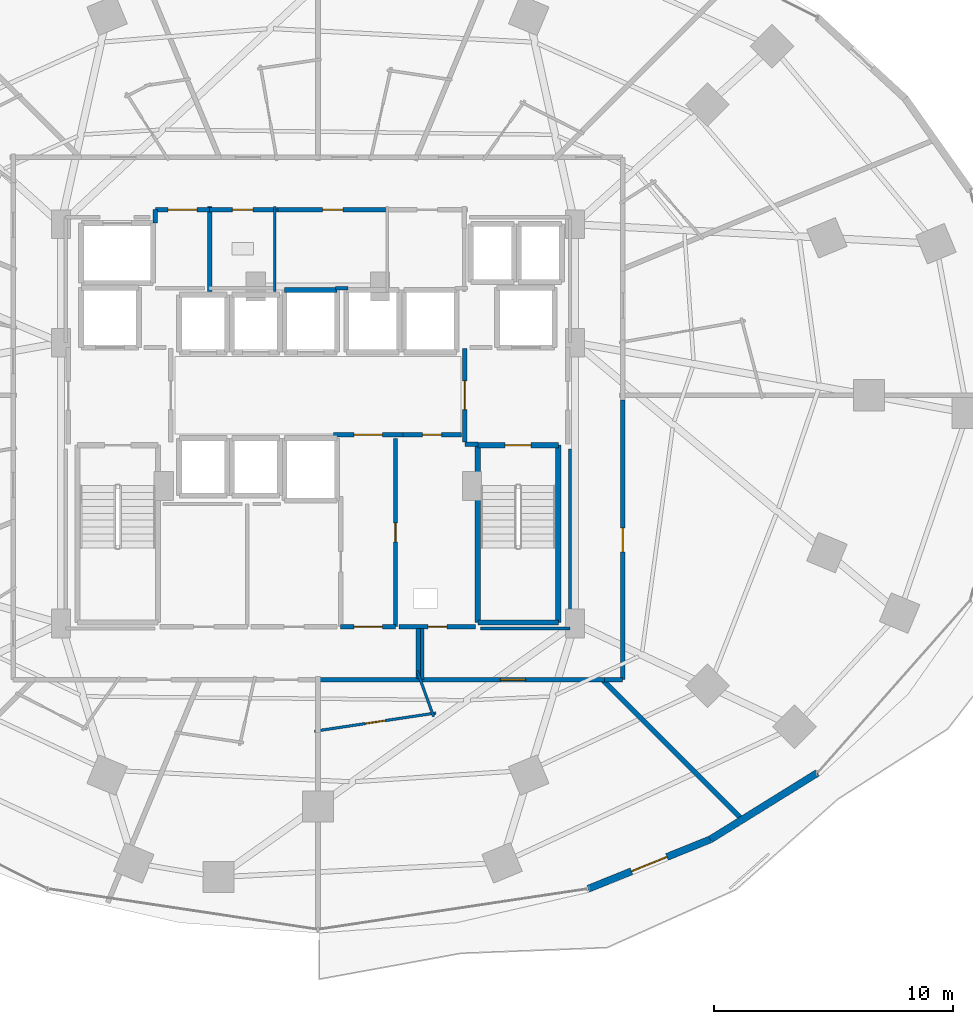
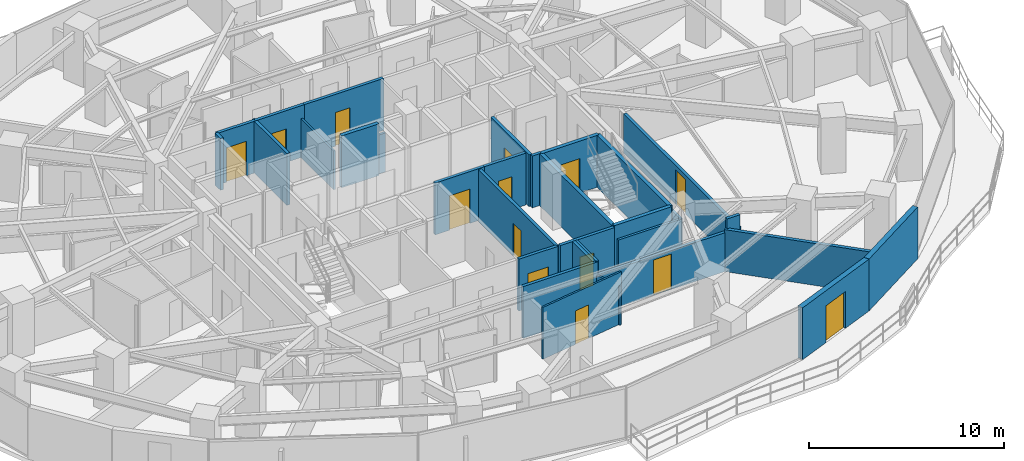
# One storey, part 28 of 34: 32 walls, 14 doors, 14 openings.
"""IFC4 building model written with IfcOpenShell, lengths in metres."""

from ifc_helpers import new_model, si_unit, direction, frame, frame_2d, origin, place, context, subcontext, project, spatial, rectangle, extrude, material, layer, layer_set, type_object, element, fill, save


model = new_model("IFC4")

# Units and contexts
model_context = context("Model", 3, precision=1e-05, world=origin(), true_north=direction((0.0, 1.0)))
body_context = subcontext(model_context, "Body", "Model", "MODEL_VIEW")
ifc_project = project(units=[si_unit("LENGTHUNIT", "METRE"), si_unit("AREAUNIT", "SQUARE_METRE"), si_unit("VOLUMEUNIT", "CUBIC_METRE"), si_unit("PLANEANGLEUNIT", "RADIAN"), si_unit("MASSUNIT", "GRAM", prefix="KILO")], contexts=[model_context])

# Site, building, storey
site_placement = place(None, origin())
site = spatial("IfcSite", under=ifc_project, at=site_placement, CompositionType="ELEMENT")
building_placement = place(site_placement, origin())
building = spatial("IfcBuilding", under=site, at=building_placement, Name="Vorneva Point Tower", CompositionType="ELEMENT")
storey_placement = place(building_placement, frame((0.0, 0.0, 27.5)))
storey = spatial("IfcBuildingStorey", under=building, at=storey_placement, Name="L06", CompositionType="ELEMENT", Elevation=27.5)

# Wall, opening, door
ifc_material_1 = material(Name="Precast concrete B50 (C40/50)", Category="concrete")
ifc_layer_1 = layer(ifc_material_1, 0.300048828125)
ifc_layer_set_1 = layer_set([ifc_layer_1], Name="Precast concrete B50 (C40/50)")
wall_type_1 = type_object("IfcWallType", Name="WL-EXT-300", PredefinedType="STANDARD", material=ifc_layer_set_1)
wall_1_placement = place(storey_placement, frame((49.308349609375, 5.351318359375, 0.0), z_axis=(0.0, 0.0, 1.0), x_axis=(0.927095325176, 0.374825636845, 0.0)))
wall_1 = element("IfcWall", 1, at=wall_1_placement, inside=storey, type_object=wall_type_1, Name="L06 Pale-Metal Facade Spandrel Wall 14.1", PredefinedType="STANDARD", context=body_context, shape_type="SweptSolid", body=[
    extrude(rectangle(XDim=5.51025390625, YDim=0.300048828125, at=frame_2d((2.755126953125, 0.0))), origin(), (0.0, 0.0, 1.0), 3.239990234375),
])
opening_1_placement = place(wall_1_placement, frame((1.955322265625, 0.0, 0.0)))
opening_1 = element("IfcOpeningElement", 2, at=opening_1_placement, cuts=wall_1, Name="Opening BD-01", PredefinedType="OPENING", context=body_context, shape_type="SweptSolid", body=[
    extrude(rectangle(XDim=1.60009765625, YDim=2.300048828125, at=frame_2d((0.800048828125, 1.14990234375))), frame((0.0, 0.1650390625, 0.0), z_axis=(0.0, -1.0, 0.0), x_axis=(1.0, 0.0, 0.0)), (0.0, 0.0, 1.0), 0.329833984375),
])
ifc_material_2 = material(Name="Pale anodised aluminium", Category="aluminium")
door_type_1 = type_object("IfcDoorType", Name="DR-BAL-1600", OperationType="SLIDING_TO_LEFT", PredefinedType="DOOR", material=ifc_material_2)
door_1_placement = place(opening_1_placement, origin())
door_1 = element("IfcDoor", 3, at=door_1_placement, inside=storey, type_object=door_type_1, Name="L06 Balcony Terrace Access Door 14", OperationType="SLIDING_TO_LEFT", OverallHeight=2.300048828125, OverallWidth=1.60009765625, PredefinedType="DOOR", context=body_context, shape_type="SweptSolid", body=[
    extrude(rectangle(XDim=1.60009765625, YDim=2.300048828125, at=frame_2d((0.800048828125, 1.14990234375))), frame((0.0, 0.02490234375, 0.0), z_axis=(0.0, -1.0, 0.0), x_axis=(1.0, 0.0, 0.0)), (0.0, 0.0, 1.0), 0.050048828125),
])
fill(opening_1, door_1)

# Walls
wall_2_placement = place(storey_placement, frame((54.4169921875, 7.416748046875, 0.0), z_axis=(0.0, 0.0, 1.0), x_axis=(0.849633724826, 0.527373239404, 0.0)))
element("IfcWall", 4, at=wall_2_placement, inside=storey, type_object=wall_type_1, Name="L06 Pale-Metal Facade Spandrel Wall 14.2", PredefinedType="STANDARD", context=body_context, shape_type="SweptSolid", body=[
    extrude(rectangle(XDim=5.2705078125, YDim=0.300048828125, at=frame_2d((2.63525390625, 0.0))), origin(), (0.0, 0.0, 1.0), 3.239990234375),
])
ifc_material_3 = material(Name="Fire-rated acoustic gypsum stud partition", Category="gypsum")
ifc_layer_2 = layer(ifc_material_3, 0.110107421875)
ifc_layer_set_2 = layer_set([ifc_layer_2], Name="Fire-rated acoustic gypsum stud partition")
wall_type_2 = type_object("IfcWallType", Name="WL-PART-110", PredefinedType="PARTITIONING", material=ifc_layer_set_2)
wall_3_placement = place(storey_placement, frame((36.199951171875, 30.340087890625, 0.0), z_axis=(0.0, 0.0, 1.0), x_axis=(0.0, 1.0, 0.0)))
element("IfcWall", 5, at=wall_3_placement, inside=storey, type_object=wall_type_2, Name="L06 Interior Partition 015", PredefinedType="PARTITIONING", context=body_context, shape_type="SweptSolid", body=[
    extrude(rectangle(XDim=3.559814453125, YDim=0.110107421875, at=frame_2d((1.77978515625, 0.0))), origin(), (0.0, 0.0, 1.0), 2.431884765625),
])

# Wall, opening, door
wall_4_placement = place(storey_placement, frame((42.932373046875, 12.705810546875, 0.0), z_axis=(0.0, 0.0, 1.0), x_axis=(-0.988876905643, -0.148736227888, 0.0)))
wall_4 = element("IfcWall", 6, at=wall_4_placement, inside=storey, type_object=wall_type_2, Name="L06 Interior Partition 104", PredefinedType="PARTITIONING", context=body_context, shape_type="SweptSolid", body=[
    extrude(rectangle(XDim=5.1279296875, YDim=0.110107421875, at=frame_2d((2.56396484375, 0.0))), origin(), (0.0, 0.0, 1.0), 3.239990234375),
])
opening_2_placement = place(wall_4_placement, frame((2.138916015625, 0.0, 0.0)))
opening_2 = element("IfcOpeningElement", 7, at=opening_2_placement, cuts=wall_4, Name="Opening ID-02", PredefinedType="OPENING", context=body_context, shape_type="SweptSolid", body=[
    extrude(rectangle(XDim=0.85009765625, YDim=2.10009765625, at=frame_2d((0.425048828125, 1.050048828125))), frame((0.0, 0.06982421875, 0.0), z_axis=(0.0, -1.0, 0.0), x_axis=(1.0, 0.0, 0.0)), (0.0, 0.0, 1.0), 0.139892578125),
])
ifc_material_4 = material(Name="Engineered oak fire-rated door leaf", Category="wood")
door_type_2 = type_object("IfcDoorType", Name="DR-BATH-850", OperationType="NOTDEFINED", PredefinedType="DOOR", material=ifc_material_4)
door_2_placement = place(opening_2_placement, origin())
door_2 = element("IfcDoor", 8, at=door_2_placement, inside=storey, type_object=door_type_2, Name="L06 Door Junior Suite L06-13 / En-Suite Bathroom L06-13", OperationType="SINGLE_SWING_RIGHT", OverallHeight=2.10009765625, OverallWidth=0.85009765625, PredefinedType="DOOR", context=body_context, shape_type="SweptSolid", body=[
    extrude(rectangle(XDim=0.85009765625, YDim=2.10009765625, at=frame_2d((0.425048828125, 1.050048828125))), frame((0.0, 0.02490234375, 0.0), z_axis=(0.0, -1.0, 0.0), x_axis=(1.0, 0.0, 0.0)), (0.0, 0.0, 1.0), 0.050048828125),
])
fill(opening_2, door_2)

# Walls
wall_5_placement = place(storey_placement, frame((42.152587890625, 14.4658203125, 0.0), z_axis=(0.0, 0.0, 1.0), x_axis=(0.338800270412, -0.940858319179, 0.0)))
element("IfcWall", 9, at=wall_5_placement, inside=storey, type_object=wall_type_2, Name="L06 Interior Partition 105", PredefinedType="PARTITIONING", context=body_context, shape_type="SweptSolid", body=[
    extrude(rectangle(XDim=2.03271484375, YDim=0.110107421875, at=frame_2d((1.016357421875, 0.0))), origin(), (0.0, 0.0, 1.0), 2.431884765625),
])
ifc_layer_3 = layer(ifc_material_3, 0.139892578125)
ifc_layer_set_3 = layer_set([ifc_layer_3], Name="Fire-rated acoustic gypsum stud partition")
wall_type_3 = type_object("IfcWallType", Name="WL-PART-140", PredefinedType="PARTITIONING", material=ifc_layer_set_3)
wall_6_placement = place(storey_placement, frame((38.735107421875, 30.47998046875, 0.0), z_axis=(0.0, 0.0, 1.0), x_axis=(1.0, 0.0, 0.0)))
element("IfcWall", 10, at=wall_6_placement, inside=storey, type_object=wall_type_3, Name="L06 Interior Closure Partition 111", PredefinedType="PARTITIONING", context=body_context, shape_type="SweptSolid", body=[
    extrude(rectangle(XDim=0.52978515625, YDim=0.139892578125, at=frame_2d((0.264892578125, 0.0))), origin(), (0.0, 0.0, 1.0), 2.431884765625),
])
wall_7_placement = place(storey_placement, frame((48.550048828125, 23.75390625, 0.0), z_axis=(0.0, 0.0, 1.0), x_axis=(0.0, -1.0, 0.0)))
element("IfcWall", 11, at=wall_7_placement, inside=storey, type_object=wall_type_3, Name="L06 Interior Closure Partition 118", PredefinedType="PARTITIONING", context=body_context, shape_type="SweptSolid", body=[
    extrude(rectangle(XDim=7.513916015625, YDim=0.139892578125, at=frame_2d((3.7568359375, 0.0))), origin(), (0.0, 0.0, 1.0), 2.431884765625),
])
wall_8_placement = place(storey_placement, frame((48.550048828125, 16.239990234375, 0.0), z_axis=(0.0, 0.0, 1.0), x_axis=(-1.0, 0.0, 0.0)))
element("IfcWall", 12, at=wall_8_placement, inside=storey, type_object=wall_type_3, Name="L06 Interior Closure Partition 119", PredefinedType="PARTITIONING", context=body_context, shape_type="SweptSolid", body=[
    extrude(rectangle(XDim=3.7451171875, YDim=0.139892578125, at=frame_2d((1.87255859375, 0.0))), origin(), (0.0, 0.0, 1.0), 2.431884765625),
])

# Wall, opening, door
ifc_material_5 = material(Name="Autoclaved aerated concrete blockwork", Category="masonry")
ifc_layer_4 = layer(ifc_material_5, 0.179931640625)
ifc_layer_set_4 = layer_set([ifc_layer_4], Name="Autoclaved aerated concrete blockwork")
wall_type_4 = type_object("IfcWallType", Name="WL-PART-180", PredefinedType="PARTITIONING", material=ifc_layer_set_4)
wall_9_placement = place(storey_placement, frame((44.14990234375, 27.955078125, 0.0), z_axis=(0.0, 0.0, 1.0), x_axis=(0.0, -1.0, 0.0)))
wall_9 = element("IfcWall", 13, at=wall_9_placement, inside=storey, type_object=wall_type_4, Name="L06 Interior Partition 003", PredefinedType="PARTITIONING", context=body_context, shape_type="SweptSolid", body=[
    extrude(rectangle(XDim=3.91015625, YDim=0.179931640625, at=frame_2d((1.955078125, 0.0))), origin(), (0.0, 0.0, 1.0), 3.239990234375),
])
opening_3_placement = place(wall_9_placement, frame((1.35498046875, 0.0, 0.0)))
opening_3 = element("IfcOpeningElement", 14, at=opening_3_placement, cuts=wall_9, Name="Opening FD-02", PredefinedType="OPENING", context=body_context, shape_type="SweptSolid", body=[
    extrude(rectangle(XDim=1.199951171875, YDim=2.14990234375, at=frame_2d((0.60009765625, 1.074951171875))), frame((0.0, 0.10498046875, 0.0), z_axis=(0.0, -1.0, 0.0), x_axis=(1.0, 0.0, 0.0)), (0.0, 0.0, 1.0), 0.209716796875),
])
ifc_material_6 = material(Name="Fire-rated powder-coated steel", Category="steel")
door_type_3 = type_object("IfcDoorType", Name="DR-FFL-1200", OperationType="NOTDEFINED", PredefinedType="DOOR", material=ifc_material_6)
door_3_placement = place(opening_3_placement, origin())
door_3 = element("IfcDoor", 15, at=door_3_placement, inside=storey, type_object=door_type_3, Name="L06 Door East Firefighting Lobby / Central Lift Lobby", OperationType="SINGLE_SWING_RIGHT", OverallHeight=2.14990234375, OverallWidth=1.199951171875, PredefinedType="DOOR", context=body_context, shape_type="SweptSolid", body=[
    extrude(rectangle(XDim=1.199951171875, YDim=2.14990234375, at=frame_2d((0.60009765625, 1.074951171875))), frame((0.0, 0.02490234375, 0.0), z_axis=(0.0, -1.0, 0.0), x_axis=(1.0, 0.0, 0.0)), (0.0, 0.0, 1.0), 0.050048828125),
])
fill(opening_3, door_3)

# Walls
wall_10_placement = place(storey_placement, frame((44.14990234375, 23.949951171875, 0.0), z_axis=(0.0, 0.0, 1.0), x_axis=(1.0, 0.0, 0.0)))
element("IfcWall", 16, at=wall_10_placement, inside=storey, type_object=wall_type_4, Name="L06 Interior Partition 004", PredefinedType="PARTITIONING", context=body_context, shape_type="SweptSolid", body=[
    extrude(rectangle(XDim=0.5400390625, YDim=0.179931640625, at=frame_2d((0.27001953125, 0.0))), origin(), (0.0, 0.0, 1.0), 3.239990234375),
])
wall_11_placement = place(storey_placement, frame((33.469970703125, 30.340087890625, 0.0), z_axis=(0.0, 0.0, 1.0), x_axis=(0.0, 1.0, 0.0)))
element("IfcWall", 17, at=wall_11_placement, inside=storey, type_object=wall_type_4, Name="L06 Interior Partition 006", PredefinedType="PARTITIONING", context=body_context, shape_type="SweptSolid", body=[
    extrude(rectangle(XDim=3.559814453125, YDim=0.179931640625, at=frame_2d((1.77978515625, 0.0))), origin(), (0.0, 0.0, 1.0), 3.239990234375),
])

# Wall, opening, door
wall_12_placement = place(storey_placement, frame((33.469970703125, 33.760009765625, 0.0), z_axis=(0.0, 0.0, 1.0), x_axis=(-1.0, 0.0, 0.0)))
wall_12 = element("IfcWall", 18, at=wall_12_placement, inside=storey, type_object=wall_type_4, Name="L06 Interior Partition 007", PredefinedType="PARTITIONING", context=body_context, shape_type="SweptSolid", body=[
    extrude(rectangle(XDim=2.27001953125, YDim=0.179931640625, at=frame_2d((1.135009765625, 0.0))), origin(), (0.0, 0.0, 1.0), 3.239990234375),
])
opening_4_placement = place(wall_12_placement, frame((0.534912109375, 0.0, 0.0)))
opening_4 = element("IfcOpeningElement", 19, at=opening_4_placement, cuts=wall_12, Name="Opening FD-02", PredefinedType="OPENING", context=body_context, shape_type="SweptSolid", body=[
    extrude(rectangle(XDim=1.199951171875, YDim=2.14990234375, at=frame_2d((0.60009765625, 1.074951171875))), frame((0.0, 0.10498046875, 0.0), z_axis=(0.0, -1.0, 0.0), x_axis=(1.0, 0.0, 0.0)), (0.0, 0.0, 1.0), 0.209716796875),
])
door_4_placement = place(opening_4_placement, origin())
door_4 = element("IfcDoor", 20, at=door_4_placement, inside=storey, type_object=door_type_3, Name="L06 Door Service Lift Lobby / L06 Circulation Corridor", OperationType="SINGLE_SWING_RIGHT", OverallHeight=2.14990234375, OverallWidth=1.199951171875, PredefinedType="DOOR", context=body_context, shape_type="SweptSolid", body=[
    extrude(rectangle(XDim=1.199951171875, YDim=2.14990234375, at=frame_2d((0.60009765625, 1.074951171875))), frame((0.0, 0.02490234375, 0.0), z_axis=(0.0, -1.0, 0.0), x_axis=(1.0, 0.0, 0.0)), (0.0, 0.0, 1.0), 0.050048828125),
])
fill(opening_4, door_4)

# Wall
wall_13_placement = place(storey_placement, frame((31.199951171875, 33.760009765625, 0.0), z_axis=(0.0, 0.0, 1.0), x_axis=(0.0, -1.0, 0.0)))
element("IfcWall", 21, at=wall_13_placement, inside=storey, type_object=wall_type_4, Name="L06 Interior Partition 008", PredefinedType="PARTITIONING", context=body_context, shape_type="SweptSolid", body=[
    extrude(rectangle(XDim=0.56005859375, YDim=0.179931640625, at=frame_2d((0.280029296875, 0.0))), origin(), (0.0, 0.0, 1.0), 3.239990234375),
])

# Wall, opening, door
wall_14_placement = place(storey_placement, frame((38.64501953125, 24.35009765625, 0.0), z_axis=(0.0, 0.0, 1.0), x_axis=(1.0, 0.0, 0.0)))
wall_14 = element("IfcWall", 22, at=wall_14_placement, inside=storey, type_object=wall_type_4, Name="L06 Interior Partition 009", PredefinedType="PARTITIONING", context=body_context, shape_type="SweptSolid", body=[
    extrude(rectangle(XDim=2.909912109375, YDim=0.179931640625, at=frame_2d((1.455078125, 0.0))), origin(), (0.0, 0.0, 1.0), 3.239990234375),
])
opening_5_placement = place(wall_14_placement, frame((0.85498046875, 0.0, 0.0)))
opening_5 = element("IfcOpeningElement", 23, at=opening_5_placement, cuts=wall_14, Name="Opening FD-02", PredefinedType="OPENING", context=body_context, shape_type="SweptSolid", body=[
    extrude(rectangle(XDim=1.199951171875, YDim=2.14990234375, at=frame_2d((0.60009765625, 1.074951171875))), frame((0.0, 0.10498046875, 0.0), z_axis=(0.0, -1.0, 0.0), x_axis=(1.0, 0.0, 0.0)), (0.0, 0.0, 1.0), 0.209716796875),
])
door_5_placement = place(opening_5_placement, origin())
door_5 = element("IfcDoor", 24, at=door_5_placement, inside=storey, type_object=door_type_3, Name="L06 Door Central Lift Lobby / Core Service Lobby", OperationType="SINGLE_SWING_LEFT", OverallHeight=2.14990234375, OverallWidth=1.199951171875, PredefinedType="DOOR", context=body_context, shape_type="SweptSolid", body=[
    extrude(rectangle(XDim=1.199951171875, YDim=2.14990234375, at=frame_2d((0.60009765625, 1.074951171875))), frame((0.0, 0.02490234375, 0.0), z_axis=(0.0, -1.0, 0.0), x_axis=(1.0, 0.0, 0.0)), (0.0, 0.0, 1.0), 0.050048828125),
])
fill(opening_5, door_5)

wall_15_placement = place(storey_placement, frame((41.554931640625, 24.35009765625, 0.0), z_axis=(0.0, 0.0, 1.0), x_axis=(1.0, 0.0, 0.0)))
wall_15 = element("IfcWall", 25, at=wall_15_placement, inside=storey, type_object=wall_type_4, Name="L06 Interior Partition 010", PredefinedType="PARTITIONING", context=body_context, shape_type="SweptSolid", body=[
    extrude(rectangle(XDim=2.445068359375, YDim=0.179931640625, at=frame_2d((1.22265625, 0.0))), origin(), (0.0, 0.0, 1.0), 3.239990234375),
])
opening_6_placement = place(wall_15_placement, frame((0.822509765625, 0.0, 0.0)))
opening_6 = element("IfcOpeningElement", 26, at=opening_6_placement, cuts=wall_15, Name="Opening RD-01", PredefinedType="OPENING", context=body_context, shape_type="SweptSolid", body=[
    extrude(rectangle(XDim=0.800048828125, YDim=2.050048828125, at=frame_2d((0.39990234375, 1.02490234375))), frame((0.0, 0.10498046875, 0.0), z_axis=(0.0, -1.0, 0.0), x_axis=(1.0, 0.0, 0.0)), (0.0, 0.0, 1.0), 0.209716796875),
])
door_type_4 = type_object("IfcDoorType", Name="DR-RSR-800", OperationType="SINGLE_SWING_LEFT", PredefinedType="DOOR", material=ifc_material_6)
door_6_placement = place(opening_6_placement, origin())
door_6 = element("IfcDoor", 27, at=door_6_placement, inside=storey, type_object=door_type_4, Name="L06 Door Central Lift Lobby / Electrical Riser", OperationType="SINGLE_SWING_RIGHT", OverallHeight=2.050048828125, OverallWidth=0.800048828125, PredefinedType="DOOR", context=body_context, shape_type="SweptSolid", body=[
    extrude(rectangle(XDim=0.800048828125, YDim=2.050048828125, at=frame_2d((0.39990234375, 1.02490234375))), frame((0.0, 0.02490234375, 0.0), z_axis=(0.0, -1.0, 0.0), x_axis=(1.0, 0.0, 0.0)), (0.0, 0.0, 1.0), 0.050048828125),
])
fill(opening_6, door_6)

wall_16_placement = place(storey_placement, frame((41.25, 16.320068359375, 0.0), z_axis=(0.0, 0.0, 1.0), x_axis=(0.0, 1.0, 0.0)))
wall_16 = element("IfcWall", 28, at=wall_16_placement, inside=storey, type_object=wall_type_4, Name="L06 Interior Partition 011", PredefinedType="PARTITIONING", context=body_context, shape_type="SweptSolid", body=[
    extrude(rectangle(XDim=7.8798828125, YDim=0.179931640625, at=frame_2d((3.93994140625, 0.0))), origin(), (0.0, 0.0, 1.0), 3.239990234375),
])
opening_7_placement = place(wall_16_placement, frame((3.5400390625, 0.0, 0.0)))
opening_7 = element("IfcOpeningElement", 29, at=opening_7_placement, cuts=wall_16, Name="Opening RD-01", PredefinedType="OPENING", context=body_context, shape_type="SweptSolid", body=[
    extrude(rectangle(XDim=0.800048828125, YDim=2.050048828125, at=frame_2d((0.39990234375, 1.02490234375))), frame((0.0, 0.10498046875, 0.0), z_axis=(0.0, -1.0, 0.0), x_axis=(1.0, 0.0, 0.0)), (0.0, 0.0, 1.0), 0.209716796875),
])
door_7_placement = place(opening_7_placement, origin())
door_7 = element("IfcDoor", 30, at=door_7_placement, inside=storey, type_object=door_type_4, Name="L06 Door Core Service Lobby / Electrical Riser", OperationType="SINGLE_SWING_LEFT", OverallHeight=2.050048828125, OverallWidth=0.800048828125, PredefinedType="DOOR", context=body_context, shape_type="SweptSolid", body=[
    extrude(rectangle(XDim=0.800048828125, YDim=2.050048828125, at=frame_2d((0.39990234375, 1.02490234375))), frame((0.0, 0.02490234375, 0.0), z_axis=(0.0, -1.0, 0.0), x_axis=(1.0, 0.0, 0.0)), (0.0, 0.0, 1.0), 0.050048828125),
])
fill(opening_7, door_7)

wall_17_placement = place(storey_placement, frame((38.949951171875, 16.320068359375, 0.0), z_axis=(0.0, 0.0, 1.0), x_axis=(1.0, 0.0, 0.0)))
wall_17 = element("IfcWall", 31, at=wall_17_placement, inside=storey, type_object=wall_type_4, Name="L06 Interior Partition 013", PredefinedType="PARTITIONING", context=body_context, shape_type="SweptSolid", body=[
    extrude(rectangle(XDim=2.300048828125, YDim=0.179931640625, at=frame_2d((1.14990234375, 0.0))), origin(), (0.0, 0.0, 1.0), 3.239990234375),
])
opening_8_placement = place(wall_17_placement, frame((0.550048828125, 0.0, 0.0)))
opening_8 = element("IfcOpeningElement", 32, at=opening_8_placement, cuts=wall_17, Name="Opening FD-02", PredefinedType="OPENING", context=body_context, shape_type="SweptSolid", body=[
    extrude(rectangle(XDim=1.199951171875, YDim=2.14990234375, at=frame_2d((0.60009765625, 1.074951171875))), frame((0.0, 0.10498046875, 0.0), z_axis=(0.0, -1.0, 0.0), x_axis=(1.0, 0.0, 0.0)), (0.0, 0.0, 1.0), 0.209716796875),
])
door_8_placement = place(opening_8_placement, origin())
door_8 = element("IfcDoor", 33, at=door_8_placement, inside=storey, type_object=door_type_3, Name="L06 Door Core Service Lobby / L06 Circulation Corridor", OperationType="SINGLE_SWING_LEFT", OverallHeight=2.14990234375, OverallWidth=1.199951171875, PredefinedType="DOOR", context=body_context, shape_type="SweptSolid", body=[
    extrude(rectangle(XDim=1.199951171875, YDim=2.14990234375, at=frame_2d((0.60009765625, 1.074951171875))), frame((0.0, 0.02490234375, 0.0), z_axis=(0.0, -1.0, 0.0), x_axis=(1.0, 0.0, 0.0)), (0.0, 0.0, 1.0), 0.050048828125),
])
fill(opening_8, door_8)

wall_18_placement = place(storey_placement, frame((41.39990234375, 16.320068359375, 0.0), z_axis=(0.0, 0.0, 1.0), x_axis=(1.0, 0.0, 0.0)))
wall_18 = element("IfcWall", 34, at=wall_18_placement, inside=storey, type_object=wall_type_4, Name="L06 Interior Partition 014", PredefinedType="PARTITIONING", context=body_context, shape_type="SweptSolid", body=[
    extrude(rectangle(XDim=3.2001953125, YDim=0.179931640625, at=frame_2d((1.60009765625, 0.0))), origin(), (0.0, 0.0, 1.0), 3.239990234375),
])
opening_9_placement = place(wall_18_placement, frame((1.199951171875, 0.0, 0.0)))
opening_9 = element("IfcOpeningElement", 35, at=opening_9_placement, cuts=wall_18, Name="Opening RD-01", PredefinedType="OPENING", context=body_context, shape_type="SweptSolid", body=[
    extrude(rectangle(XDim=0.800048828125, YDim=2.050048828125, at=frame_2d((0.39990234375, 1.02490234375))), frame((0.0, 0.10498046875, 0.0), z_axis=(0.0, -1.0, 0.0), x_axis=(1.0, 0.0, 0.0)), (0.0, 0.0, 1.0), 0.209716796875),
])
door_9_placement = place(opening_9_placement, origin())
door_9 = element("IfcDoor", 36, at=door_9_placement, inside=storey, type_object=door_type_4, Name="L06 Door Electrical Riser / L06 Circulation Corridor", OperationType="SINGLE_SWING_RIGHT", OverallHeight=2.050048828125, OverallWidth=0.800048828125, PredefinedType="DOOR", context=body_context, shape_type="SweptSolid", body=[
    extrude(rectangle(XDim=0.800048828125, YDim=2.050048828125, at=frame_2d((0.39990234375, 1.02490234375))), frame((0.0, 0.02490234375, 0.0), z_axis=(0.0, -1.0, 0.0), x_axis=(1.0, 0.0, 0.0)), (0.0, 0.0, 1.0), 0.050048828125),
])
fill(opening_9, door_9)

wall_19_placement = place(storey_placement, frame((36.340087890625, 33.760009765625, 0.0), z_axis=(0.0, 0.0, 1.0), x_axis=(-1.0, 0.0, 0.0)))
wall_19 = element("IfcWall", 37, at=wall_19_placement, inside=storey, type_object=wall_type_4, Name="L06 Interior Partition 016", PredefinedType="PARTITIONING", context=body_context, shape_type="SweptSolid", body=[
    extrude(rectangle(XDim=2.97998046875, YDim=0.179931640625, at=frame_2d((1.489990234375, 0.0))), origin(), (0.0, 0.0, 1.0), 3.239990234375),
])
opening_10_placement = place(wall_19_placement, frame((1.06494140625, 0.0, 0.0)))
opening_10 = element("IfcOpeningElement", 38, at=opening_10_placement, cuts=wall_19, Name="Opening ID-02", PredefinedType="OPENING", context=body_context, shape_type="SweptSolid", body=[
    extrude(rectangle(XDim=0.85009765625, YDim=2.10009765625, at=frame_2d((0.425048828125, 1.050048828125))), frame((0.0, 0.10498046875, 0.0), z_axis=(0.0, -1.0, 0.0), x_axis=(1.0, 0.0, 0.0)), (0.0, 0.0, 1.0), 0.209716796875),
])
door_10_placement = place(opening_10_placement, origin())
door_10 = element("IfcDoor", 39, at=door_10_placement, inside=storey, type_object=door_type_2, Name="L06 Door Public Male WC / L06 Circulation Corridor", OperationType="SINGLE_SWING_LEFT", OverallHeight=2.10009765625, OverallWidth=0.85009765625, PredefinedType="DOOR", context=body_context, shape_type="SweptSolid", body=[
    extrude(rectangle(XDim=0.85009765625, YDim=2.10009765625, at=frame_2d((0.425048828125, 1.050048828125))), frame((0.0, 0.02490234375, 0.0), z_axis=(0.0, -1.0, 0.0), x_axis=(1.0, 0.0, 0.0)), (0.0, 0.0, 1.0), 0.050048828125),
])
fill(opening_10, door_10)

wall_20_placement = place(storey_placement, frame((41.0400390625, 33.760009765625, 0.0), z_axis=(0.0, 0.0, 1.0), x_axis=(-1.0, 0.0, 0.0)))
wall_20 = element("IfcWall", 40, at=wall_20_placement, inside=storey, type_object=wall_type_4, Name="L06 Interior Partition 018", PredefinedType="PARTITIONING", context=body_context, shape_type="SweptSolid", body=[
    extrude(rectangle(XDim=4.840087890625, YDim=0.179931640625, at=frame_2d((2.419921875, 0.0))), origin(), (0.0, 0.0, 1.0), 3.239990234375),
])
opening_11_placement = place(wall_20_placement, frame((1.9951171875, 0.0, 0.0)))
opening_11 = element("IfcOpeningElement", 41, at=opening_11_placement, cuts=wall_20, Name="Opening ID-02", PredefinedType="OPENING", context=body_context, shape_type="SweptSolid", body=[
    extrude(rectangle(XDim=0.85009765625, YDim=2.10009765625, at=frame_2d((0.425048828125, 1.050048828125))), frame((0.0, 0.10498046875, 0.0), z_axis=(0.0, -1.0, 0.0), x_axis=(1.0, 0.0, 0.0)), (0.0, 0.0, 1.0), 0.209716796875),
])
door_11_placement = place(opening_11_placement, origin())
door_11 = element("IfcDoor", 42, at=door_11_placement, inside=storey, type_object=door_type_2, Name="L06 Door Public Female WC / L06 Circulation Corridor", OperationType="SINGLE_SWING_RIGHT", OverallHeight=2.10009765625, OverallWidth=0.85009765625, PredefinedType="DOOR", context=body_context, shape_type="SweptSolid", body=[
    extrude(rectangle(XDim=0.85009765625, YDim=2.10009765625, at=frame_2d((0.425048828125, 1.050048828125))), frame((0.0, 0.02490234375, 0.0), z_axis=(0.0, -1.0, 0.0), x_axis=(1.0, 0.0, 0.0)), (0.0, 0.0, 1.0), 0.050048828125),
])
fill(opening_11, door_11)

# Wall
wall_21_placement = place(storey_placement, frame((42.340087890625, 16.239990234375, 0.0), z_axis=(0.0, 0.0, 1.0), x_axis=(0.0, -1.0, 0.0)))
element("IfcWall", 43, at=wall_21_placement, inside=storey, type_object=wall_type_4, Name="L06 Interior Partition 051", PredefinedType="PARTITIONING", context=body_context, shape_type="SweptSolid", body=[
    extrude(rectangle(XDim=2.139892578125, YDim=0.179931640625, at=frame_2d((1.06982421875, 0.0))), origin(), (0.0, 0.0, 1.0), 3.239990234375),
])

# Wall, opening, door
wall_22_placement = place(storey_placement, frame((42.340087890625, 14.10009765625, 0.0), z_axis=(0.0, 0.0, 1.0), x_axis=(1.0, 0.0, 0.0)))
wall_22 = element("IfcWall", 44, at=wall_22_placement, inside=storey, type_object=wall_type_4, Name="L06 Interior Partition 052", PredefinedType="PARTITIONING", context=body_context, shape_type="SweptSolid", body=[
    extrude(rectangle(XDim=7.64501953125, YDim=0.179931640625, at=frame_2d((3.822509765625, 0.0))), origin(), (0.0, 0.0, 1.0), 2.431884765625),
])
opening_12_placement = place(wall_22_placement, frame((3.297607421875, 0.0, 0.0)))
opening_12 = element("IfcOpeningElement", 45, at=opening_12_placement, cuts=wall_22, Name="Opening UD-02", PredefinedType="OPENING", context=body_context, shape_type="SweptSolid", body=[
    extrude(rectangle(XDim=1.050048828125, YDim=2.199951171875, at=frame_2d((0.52490234375, 1.10009765625))), frame((0.0, 0.10498046875, 0.0), z_axis=(0.0, -1.0, 0.0), x_axis=(1.0, 0.0, 0.0)), (0.0, 0.0, 1.0), 0.209716796875),
])
door_type_5 = type_object("IfcDoorType", Name="DR-SUITE-1050", OperationType="NOTDEFINED", PredefinedType="DOOR", material=ifc_material_4)
door_12_placement = place(opening_12_placement, origin())
door_12 = element("IfcDoor", 46, at=door_12_placement, inside=storey, type_object=door_type_5, Name="L06 Door L06 Circulation Corridor / Junior Suite L06-13", OperationType="SINGLE_SWING_RIGHT", OverallHeight=2.199951171875, OverallWidth=1.050048828125, PredefinedType="DOOR", context=body_context, shape_type="SweptSolid", body=[
    extrude(rectangle(XDim=1.050048828125, YDim=2.199951171875, at=frame_2d((0.52490234375, 1.10009765625))), frame((0.0, 0.02490234375, 0.0), z_axis=(0.0, -1.0, 0.0), x_axis=(1.0, 0.0, 0.0)), (0.0, 0.0, 1.0), 0.050048828125),
])
fill(opening_12, door_12)

# Walls
wall_23_placement = place(storey_placement, frame((42.199951171875, 14.156982421875, 0.0), z_axis=(0.0, 0.0, 1.0), x_axis=(0.0, 1.0, 0.0)))
element("IfcWall", 47, at=wall_23_placement, inside=storey, type_object=wall_type_4, Name="L06 Interior Partition 053", PredefinedType="PARTITIONING", context=body_context, shape_type="SweptSolid", body=[
    extrude(rectangle(XDim=2.0830078125, YDim=0.179931640625, at=frame_2d((1.04150390625, 0.0))), origin(), (0.0, 0.0, 1.0), 3.239990234375),
])
wall_24_placement = place(storey_placement, frame((37.919921875, 14.10009765625, 0.0), z_axis=(0.0, 0.0, 1.0), x_axis=(1.0, 0.0, 0.0)))
element("IfcWall", 48, at=wall_24_placement, inside=storey, type_object=wall_type_4, Name="L06 Interior Partition 054", PredefinedType="PARTITIONING", context=body_context, shape_type="SweptSolid", body=[
    extrude(rectangle(XDim=4.420166015625, YDim=0.179931640625, at=frame_2d((2.2099609375, 0.0))), origin(), (0.0, 0.0, 1.0), 3.239990234375),
])
wall_25_placement = place(storey_placement, frame((49.985107421875, 14.10009765625, 0.0), z_axis=(0.0, 0.0, 1.0), x_axis=(1.0, 0.0, 0.0)))
element("IfcWall", 49, at=wall_25_placement, inside=storey, type_object=wall_type_4, Name="L06 Interior Partition 055", PredefinedType="PARTITIONING", context=body_context, shape_type="SweptSolid", body=[
    extrude(rectangle(XDim=0.764892578125, YDim=0.179931640625, at=frame_2d((0.38232421875, 0.0))), origin(), (0.0, 0.0, 1.0), 3.239990234375),
])

# Wall, opening, door
wall_26_placement = place(storey_placement, frame((50.75, 14.10009765625, 0.0), z_axis=(0.0, 0.0, 1.0), x_axis=(0.0, 1.0, 0.0)))
wall_26 = element("IfcWall", 50, at=wall_26_placement, inside=storey, type_object=wall_type_4, Name="L06 Interior Partition 056", PredefinedType="PARTITIONING", context=body_context, shape_type="SweptSolid", body=[
    extrude(rectangle(XDim=11.699951171875, YDim=0.179931640625, at=frame_2d((5.85009765625, 0.0))), origin(), (0.0, 0.0, 1.0), 2.431884765625),
])
opening_13_placement = place(wall_26_placement, frame((5.35009765625, 0.0, 0.0)))
opening_13 = element("IfcOpeningElement", 51, at=opening_13_placement, cuts=wall_26, Name="Opening UD-01", PredefinedType="OPENING", context=body_context, shape_type="SweptSolid", body=[
    extrude(rectangle(XDim=1.0, YDim=2.14990234375, at=frame_2d((0.5, 1.074951171875))), frame((0.0, 0.10498046875, 0.0), z_axis=(0.0, -1.0, 0.0), x_axis=(1.0, 0.0, 0.0)), (0.0, 0.0, 1.0), 0.209716796875),
])
door_type_6 = type_object("IfcDoorType", Name="DR-UNIT-1000", OperationType="NOTDEFINED", PredefinedType="DOOR", material=ifc_material_4)
door_13_placement = place(opening_13_placement, origin())
door_13 = element("IfcDoor", 52, at=door_13_placement, inside=storey, type_object=door_type_6, Name="L06 Door L06 Circulation Corridor / Hotel Club Lounge L06-14", OperationType="SINGLE_SWING_LEFT", OverallHeight=2.14990234375, OverallWidth=1.0, PredefinedType="DOOR", context=body_context, shape_type="SweptSolid", body=[
    extrude(rectangle(XDim=1.0, YDim=2.14990234375, at=frame_2d((0.5, 1.074951171875))), frame((0.0, 0.02490234375, 0.0), z_axis=(0.0, -1.0, 0.0), x_axis=(1.0, 0.0, 0.0)), (0.0, 0.0, 1.0), 0.050048828125),
])
fill(opening_13, door_13)

# Wall
ifc_layer_5 = layer(ifc_material_5, 0.199951171875)
ifc_layer_set_5 = layer_set([ifc_layer_5], Name="Autoclaved aerated concrete blockwork")
wall_type_5 = type_object("IfcWallType", Name="WL-PART-200", PredefinedType="PARTITIONING", material=ifc_layer_set_5)
wall_27_placement = place(storey_placement, frame((55.7529296875, 8.2470703125, 0.0), z_axis=(0.0, 0.0, 1.0), x_axis=(-0.707106781187, 0.707106781187, 0.0)))
element("IfcWall", 53, at=wall_27_placement, inside=storey, type_object=wall_type_5, Name="L06 Interior Partition 106", PredefinedType="PARTITIONING", context=body_context, shape_type="SweptSolid", body=[
    extrude(rectangle(XDim=8.27734375, YDim=0.199951171875, at=frame_2d((4.138671875, 0.0))), origin(), (0.0, 0.0, 1.0), 2.6240234375),
])

# Wall, opening, door
ifc_material_7 = material(Name="Concrete B50 (C40/50)", Category="concrete")
ifc_layer_6 = layer(ifc_material_7, 0.219970703125)
ifc_layer_set_6 = layer_set([ifc_layer_6], Name="Concrete B50 (C40/50)")
wall_type_6 = type_object("IfcWallType", Name="WL-SHFT-220", PredefinedType="SOLIDWALL", material=ifc_layer_set_6)
wall_28_placement = place(storey_placement, frame((44.68994140625, 23.909912109375, 0.0), z_axis=(0.0, 0.0, 1.0), x_axis=(1.0, 0.0, 0.0)))
wall_28 = element("IfcWall", 54, at=wall_28_placement, inside=storey, type_object=wall_type_6, Name="L06 Exit Stair ST2 Shaft Wall near", PredefinedType="SOLIDWALL", context=body_context, shape_type="SweptSolid", body=[
    extrude(rectangle(XDim=3.3701171875, YDim=0.219970703125, at=frame_2d((1.68505859375, 0.0))), origin(), (0.0, 0.0, 1.0), 3.239990234375),
])
opening_14_placement = place(wall_28_placement, frame((1.135009765625, 0.0, 0.0)))
opening_14 = element("IfcOpeningElement", 55, at=opening_14_placement, cuts=wall_28, Name="Opening FD-01", PredefinedType="OPENING", context=body_context, shape_type="SweptSolid", body=[
    extrude(rectangle(XDim=1.10009765625, YDim=2.14990234375, at=frame_2d((0.550048828125, 1.074951171875))), frame((0.0, 0.125, 0.0), z_axis=(0.0, -1.0, 0.0), x_axis=(1.0, 0.0, 0.0)), (0.0, 0.0, 1.0), 0.249755859375),
])
door_type_7 = type_object("IfcDoorType", Name="DR-STAIR-1100", OperationType="NOTDEFINED", PredefinedType="DOOR", material=ifc_material_6)
door_14_placement = place(opening_14_placement, origin())
door_14 = element("IfcDoor", 56, at=door_14_placement, inside=storey, type_object=door_type_7, Name="L06 Exit Stair ST2 Fire Door", OperationType="SINGLE_SWING_LEFT", OverallHeight=2.14990234375, OverallWidth=1.10009765625, PredefinedType="DOOR", context=body_context, shape_type="SweptSolid", body=[
    extrude(rectangle(XDim=1.10009765625, YDim=2.14990234375, at=frame_2d((0.550048828125, 1.074951171875))), frame((0.0, 0.02490234375, 0.0), z_axis=(0.0, -1.0, 0.0), x_axis=(1.0, 0.0, 0.0)), (0.0, 0.0, 1.0), 0.050048828125),
])
fill(opening_14, door_14)

# Walls
wall_29_placement = place(storey_placement, frame((48.06005859375, 23.909912109375, 0.0), z_axis=(0.0, 0.0, 1.0), x_axis=(0.0, -1.0, 0.0)))
element("IfcWall", 57, at=wall_29_placement, inside=storey, type_object=wall_type_6, Name="L06 Exit Stair ST2 Shaft Wall right", PredefinedType="SOLIDWALL", context=body_context, shape_type="SweptSolid", body=[
    extrude(rectangle(XDim=7.419921875, YDim=0.219970703125, at=frame_2d((3.7099609375, 0.0))), origin(), (0.0, 0.0, 1.0), 3.239990234375),
])
wall_30_placement = place(storey_placement, frame((48.06005859375, 16.489990234375, 0.0), z_axis=(0.0, 0.0, 1.0), x_axis=(-1.0, 0.0, 0.0)))
element("IfcWall", 58, at=wall_30_placement, inside=storey, type_object=wall_type_6, Name="L06 Exit Stair ST2 Shaft Wall far", PredefinedType="SOLIDWALL", context=body_context, shape_type="SweptSolid", body=[
    extrude(rectangle(XDim=3.3701171875, YDim=0.219970703125, at=frame_2d((1.68505859375, 0.0))), origin(), (0.0, 0.0, 1.0), 3.239990234375),
])
wall_31_placement = place(storey_placement, frame((44.68994140625, 16.489990234375, 0.0), z_axis=(0.0, 0.0, 1.0), x_axis=(0.0, 1.0, 0.0)))
element("IfcWall", 59, at=wall_31_placement, inside=storey, type_object=wall_type_6, Name="L06 Exit Stair ST2 Shaft Wall left", PredefinedType="SOLIDWALL", context=body_context, shape_type="SweptSolid", body=[
    extrude(rectangle(XDim=7.419921875, YDim=0.219970703125, at=frame_2d((3.7099609375, 0.0))), origin(), (0.0, 0.0, 1.0), 3.239990234375),
])
wall_32_placement = place(storey_placement, frame((38.800048828125, 30.39990234375, 0.0), z_axis=(0.0, 0.0, 1.0), x_axis=(-1.0, 0.0, 0.0)))
element("IfcWall", 60, at=wall_32_placement, inside=storey, type_object=wall_type_6, Name="L06 Lift PL3 Shaft Wall +Y", PredefinedType="SOLIDWALL", context=body_context, shape_type="SweptSolid", body=[
    extrude(rectangle(XDim=2.199951171875, YDim=0.219970703125, at=frame_2d((1.10009765625, 0.0))), origin(), (0.0, 0.0, 1.0), 3.239990234375),
])

save(model, "model.ifc")
